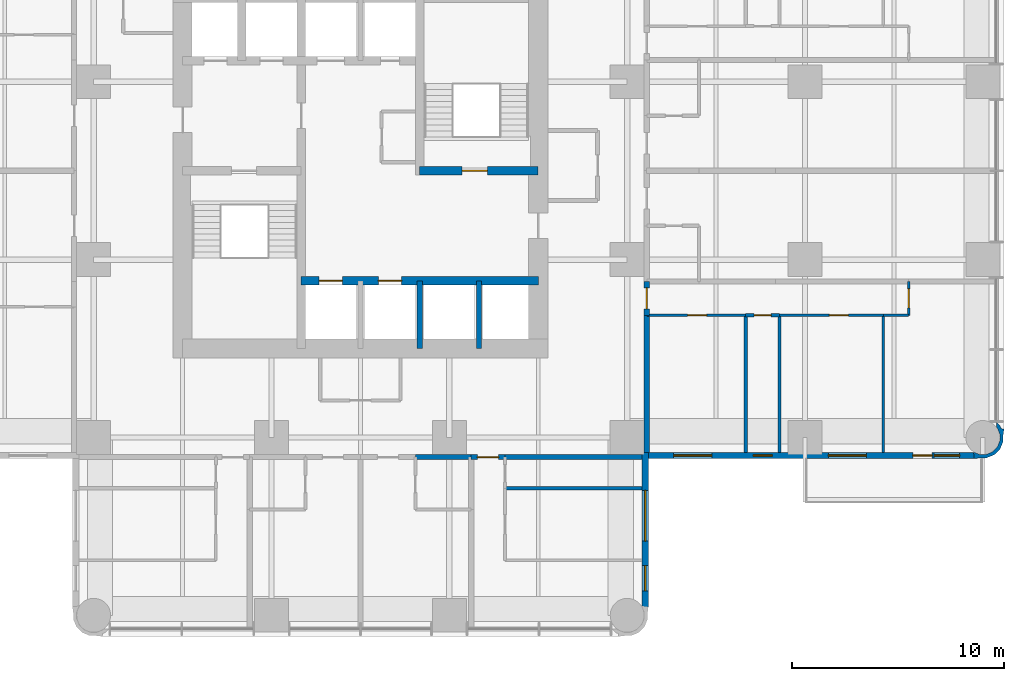
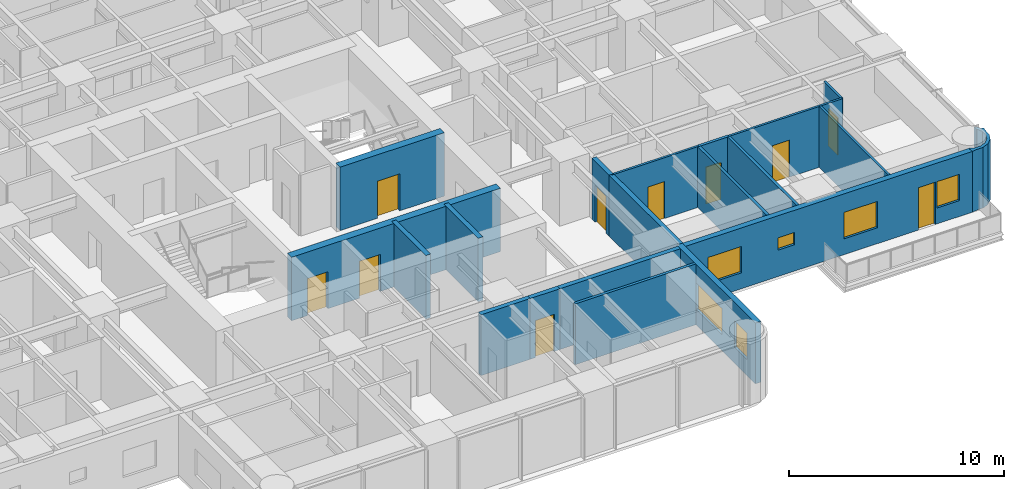
# One storey, part 9 of 14: 21 walls, 10 doors, 6 windows, 16 openings.
"""IFC4 building model written with IfcOpenShell, lengths in metres."""

import ifcopenshell
import ifcopenshell.guid

model = None  # the IFC model being written
_history = None  # IfcOwnerHistory: only IFC2X3 demands one
_inside = {}  # id of a spatial element -> (the spatial element, [elements in it])
_under = {}  # id of a project, library or spatial element -> (it, [spatial elements below it])
_declared = {}  # id of a project -> (the project, [libraries it declares])
_typed = {}  # id of a type object -> (the type object, [elements of that type])
_made_of = {}  # id of a material, layer set ... -> (it, [elements and type objects made of it])


def new_model(schema):
    """Start an empty IFC model of exactly this schema.

    Asked for "IFC4X3", IfcOpenShell would pick the latest addendum, in which some entities
    have other attributes; the version numbers below select the first issue.
    IFC2X3 requires an IfcOwnerHistory on every rooted entity: one is made here for all.
    """
    global model, _history
    if schema == "IFC4X3":
        model = ifcopenshell.file(schema_version=(4, 3, 0, 0))
    else:
        model = ifcopenshell.file(schema=schema)
    _inside.clear()
    _under.clear()
    _declared.clear()
    _typed.clear()
    _made_of.clear()
    _history = None
    if model.schema == "IFC2X3":
        org = make("IfcOrganization", Name="unknown")
        user = make(
            "IfcPersonAndOrganization",
            ThePerson=make("IfcPerson", FamilyName="unknown"),
            TheOrganization=org,
        )
        app = make(
            "IfcApplication",
            ApplicationDeveloper=org,
            Version="unknown",
            ApplicationFullName="unknown",
            ApplicationIdentifier="unknown",
        )
        _history = make(
            "IfcOwnerHistory",
            OwningUser=user,
            OwningApplication=app,
            ChangeAction="ADDED",
            CreationDate=0,
        )
    return model


def make(cls, **values):
    """One entity of the class cls with the attributes given. An attribute that is None is left unset."""
    return model.create_entity(
        cls, **{name: value for name, value in values.items() if value is not None}
    )


def rooted(cls, **values):
    """An entity with a GlobalId (a new one), such as an element, a storey or a relation."""
    return make(cls, GlobalId=ifcopenshell.guid.new(), OwnerHistory=_history, **values)


def si_unit(unit_type, name, prefix=None):
    """IfcSIUnit, for example si_unit("LENGTHUNIT", "METRE", prefix="MILLI")."""
    return make("IfcSIUnit", UnitType=unit_type, Prefix=prefix, Name=name)


def assignment(units):
    """IfcUnitAssignment: the units of a project."""
    return None if units is None else make("IfcUnitAssignment", Units=units)


def point(xyz):
    """IfcCartesianPoint."""
    return None if xyz is None else make("IfcCartesianPoint", Coordinates=xyz)


def direction(xyz):
    """IfcDirection."""
    return None if xyz is None else make("IfcDirection", DirectionRatios=xyz)


def frame(location, z_axis=None, x_axis=None):
    """IfcAxis2Placement3D, a coordinate frame: its origin and axes. An axis left out is left unset."""
    return make(
        "IfcAxis2Placement3D",
        Location=point(location),
        Axis=direction(z_axis),
        RefDirection=direction(x_axis),
    )


def frame_2d(location, x_axis=None):
    """IfcAxis2Placement2D, a coordinate frame in the plane: its origin and x axis."""
    return make(
        "IfcAxis2Placement2D", Location=point(location), RefDirection=direction(x_axis)
    )


def origin():
    """The frame at (0, 0, 0) with its axes left unset."""
    return frame((0.0, 0.0, 0.0))


def place(relative_to, where):
    """IfcLocalPlacement: puts the frame where relative to a parent placement (None: the world)."""
    return make(
        "IfcLocalPlacement", PlacementRelTo=relative_to, RelativePlacement=where
    )


def context(
    kind, dimensions, precision=None, world=None, true_north=None, identifier=None
):
    """IfcGeometricRepresentationContext, for example the 3D "Model" context."""
    return make(
        "IfcGeometricRepresentationContext",
        ContextIdentifier=identifier,
        ContextType=kind,
        CoordinateSpaceDimension=dimensions,
        Precision=precision,
        WorldCoordinateSystem=world,
        TrueNorth=true_north,
    )


def subcontext(parent, identifier, kind, view, scale=None):
    """IfcGeometricRepresentationSubContext, for example "Body" below "Model"."""
    return make(
        "IfcGeometricRepresentationSubContext",
        ContextIdentifier=identifier,
        ContextType=kind,
        ParentContext=parent,
        TargetScale=scale,
        TargetView=view,
    )


def project(units=None, contexts=None):
    """IfcProject with its units and contexts."""
    return rooted(
        "IfcProject",
        Name="project",
        RepresentationContexts=contexts,
        UnitsInContext=assignment(units),
    )


def spatial(cls, under=None, at=None, **own):
    """A site, building, storey or space (cls), placed at a placement, below another one or the project."""
    s = rooted(cls, ObjectPlacement=at, **own)
    if under is not None:
        _under.setdefault(under.id(), (under, []))[1].append(s)
    return s


def polyline(points):
    """IfcPolyline through the points."""
    return make("IfcPolyline", Points=[point(p) for p in points])


def profile(cls, at=None, kind="AREA", **sizes):
    """A parametric profile (cls). Its sizes go by their IFC names, for example OverallWidth=200.0."""
    return make(cls, ProfileType=kind, Position=at, **sizes)


def rectangle(**sizes):
    """IfcRectangleProfileDef."""
    return profile("IfcRectangleProfileDef", **sizes)


def outline(outer, holes=None, kind="AREA"):
    """IfcArbitraryClosedProfileDef: a profile drawn as a closed curve; with holes, ...WithVoids."""
    if holes is None:
        return make("IfcArbitraryClosedProfileDef", ProfileType=kind, OuterCurve=outer)
    return make(
        "IfcArbitraryProfileDefWithVoids",
        ProfileType=kind,
        OuterCurve=outer,
        InnerCurves=holes,
    )


def extrude(swept, where, along, depth):
    """IfcExtrudedAreaSolid: the profile swept, set in the frame where, extruded along a direction by depth."""
    return make(
        "IfcExtrudedAreaSolid",
        SweptArea=swept,
        Position=where,
        ExtrudedDirection=direction(along),
        Depth=depth,
    )


def shape(context_of_items, identifier, shape_type, items):
    """IfcShapeRepresentation: the items that make up one representation, for example the "Body"."""
    return make(
        "IfcShapeRepresentation",
        ContextOfItems=context_of_items,
        RepresentationIdentifier=identifier,
        RepresentationType=shape_type,
        Items=items,
    )


def material(Name=None, Category=None):
    """IfcMaterial."""
    return make("IfcMaterial", Name=Name, Category=Category)


def layer(
    of_material, thickness, ventilated=None, Name=None, Category=None, Priority=None
):
    """IfcMaterialLayer: one layer of a wall or slab, of a material (None: an air gap)."""
    return make(
        "IfcMaterialLayer",
        Material=of_material,
        LayerThickness=thickness,
        IsVentilated=ventilated,
        Name=Name,
        Category=Category,
        Priority=Priority,
    )


def layer_set(layers, Name=None):
    """IfcMaterialLayerSet."""
    return make("IfcMaterialLayerSet", MaterialLayers=layers, LayerSetName=Name)


def made_of(thing, what):
    """Note that an element or type object is made of a material, layer set ...; save() writes the relation."""
    if what is not None:
        _made_of.setdefault(what.id(), (what, []))[1].append(thing)
    return thing


def type_object(cls, material=None, **own):
    """A type object (cls), such as IfcWallType, which elements share."""
    return made_of(rooted(cls, **own), material)


def element(
    cls,
    number,
    at=None,
    inside=None,
    cuts=None,
    type_object=None,
    material=None,
    context=None,
    identifier="Body",
    shape_type=None,
    held_by="IfcProductDefinitionShape",
    body=None,
    shapes=None,
    **own,
):
    """One element of the class cls, such as IfcWall. Its Tag is "e" and its number.

    at: its placement. inside: the storey or other place that contains it. cuts: it is an
    opening in that element (IfcRelVoidsElement). A single representation is given by context,
    identifier, shape_type and body (its items); several are given by shapes. held_by: the class
    of the entity that holds the representations. save() writes the other relations.
    """
    e = rooted(cls, Tag="e%d" % number, ObjectPlacement=at, **own)
    if body is not None:
        shapes = [shape(context, identifier, shape_type, body)]
    if shapes is not None:
        e.Representation = make(held_by, Representations=shapes)
    if inside is not None:
        _inside.setdefault(inside.id(), (inside, []))[1].append(e)
    if cuts is not None:
        rooted(
            "IfcRelVoidsElement", RelatingBuildingElement=cuts, RelatedOpeningElement=e
        )
    if type_object is not None:
        _typed.setdefault(type_object.id(), (type_object, []))[1].append(e)
    return made_of(e, material)


def fill(opening, filler):
    """IfcRelFillsElement: the door or window that sits in an opening."""
    return rooted(
        "IfcRelFillsElement",
        RelatingOpeningElement=opening,
        RelatedBuildingElement=filler,
    )


def aggregate(whole, parts):
    """IfcRelAggregates: a whole, such as a stair, and the parts it consists of."""
    return rooted("IfcRelAggregates", RelatingObject=whole, RelatedObjects=parts)


def save(model, path):
    """Write the relations noted so far, then the file.

    IfcRelAggregates (storeys below a building ...), IfcRelContainedInSpatialStructure (elements
    in a storey), IfcRelDefinesByType, IfcRelAssociatesMaterial and IfcRelDeclares: one each for
    every whole, place, type object, material and project.
    """
    for whole, parts in _under.values():
        aggregate(whole, parts)
    for where, things in _inside.values():
        rooted(
            "IfcRelContainedInSpatialStructure",
            RelatedElements=things,
            RelatingStructure=where,
        )
    for kind, things in _typed.values():
        rooted("IfcRelDefinesByType", RelatedObjects=things, RelatingType=kind)
    for what, things in _made_of.values():
        rooted("IfcRelAssociatesMaterial", RelatedObjects=things, RelatingMaterial=what)
    for by, libraries in _declared.values():
        rooted("IfcRelDeclares", RelatingContext=by, RelatedDefinitions=libraries)
    model.write(path)


model = new_model("IFC4")

# Units and contexts
model_context = context("Model", 3, precision=1e-05, world=origin(), true_north=direction((0.0, 1.0)))
body_context = subcontext(model_context, "Body", "Model", "MODEL_VIEW")
ifc_project = project(units=[si_unit("LENGTHUNIT", "METRE"), si_unit("AREAUNIT", "SQUARE_METRE"), si_unit("VOLUMEUNIT", "CUBIC_METRE"), si_unit("PLANEANGLEUNIT", "RADIAN"), si_unit("MASSUNIT", "GRAM", prefix="KILO")], contexts=[model_context])

# Site, building, storey
site_placement = place(None, origin())
site = spatial("IfcSite", under=ifc_project, at=site_placement, CompositionType="ELEMENT")
building_placement = place(site_placement, origin())
building = spatial("IfcBuilding", under=site, at=building_placement, Name="Torre Alcanfor", CompositionType="ELEMENT")
storey_placement = place(building_placement, frame((0.0, 0.0, 155.699951171875)))
storey = spatial("IfcBuildingStorey", under=building, at=storey_placement, Name="L40", CompositionType="ELEMENT", Elevation=155.699951171875)

# Wall, opening, door
ifc_material_1 = material(Name="Concrete block masonry, hollow blocks NMX-C-404 9 MPa", Category="masonry")
ifc_layer_1 = layer(ifc_material_1, 0.25)
ifc_layer_set_1 = layer_set([ifc_layer_1], Name="Apartment entrance wall 250 EI 60")
wall_type_1 = type_object("IfcWallType", Name="Apartment entrance wall 250 EI 60", PredefinedType="PARTITIONING", material=ifc_layer_set_1)
wall_1_placement = place(storey_placement, frame((42.925048828125, 24.1708984375, 0.0), z_axis=(0.0, 0.0, 1.0), x_axis=(0.0, -1.0, 0.0)))
wall_1 = element("IfcWall", 1, at=wall_1_placement, inside=storey, type_object=wall_type_1, Name="Partition L40-CORR / L40-E2B-HALL", PredefinedType="PARTITIONING", context=body_context, shape_type="SweptSolid", body=[
    extrude(rectangle(XDim=1.599853515625, YDim=0.25, at=frame_2d((0.7998046875, 0.0))), origin(), (0.0, 0.0, 1.0), 3.449951171875),
])
opening_1_placement = place(wall_1_placement, frame((0.300048828125, 0.0, 0.0)))
opening_1 = element("IfcOpeningElement", 2, at=opening_1_placement, cuts=wall_1, Name="Opening D-A1", PredefinedType="OPENING", context=body_context, shape_type="SweptSolid", body=[
    extrude(rectangle(XDim=1.0, YDim=2.10009765625, at=frame_2d((0.5, 1.050048828125))), frame((0.0, 0.135009765625, 0.0), z_axis=(0.0, -1.0, 0.0), x_axis=(1.0, 0.0, 0.0)), (0.0, 0.0, 1.0), 0.27001953125),
])
ifc_material_2 = material(Name="Galvanised steel sheet ASTM A653", Category="steel")
door_type_1 = type_object("IfcDoorType", Name="Apartment entrance door FD60 1000x2100", OperationType="SINGLE_SWING_LEFT", PredefinedType="DOOR", material=ifc_material_2)
door_1_placement = place(opening_1_placement, origin())
door_1 = element("IfcDoor", 3, at=door_1_placement, inside=storey, type_object=door_type_1, Name="Apartment entrance L40-E2B", OperationType="SINGLE_SWING_LEFT", OverallHeight=2.10009765625, OverallWidth=1.0, PredefinedType="DOOR", context=body_context, shape_type="SweptSolid", body=[
    extrude(rectangle(XDim=1.0, YDim=2.10009765625, at=frame_2d((0.5, 1.050048828125))), frame((0.0, 0.02490234375, 0.0), z_axis=(0.0, -1.0, 0.0), x_axis=(1.0, 0.0, 0.0)), (0.0, 0.0, 1.0), 0.050048828125),
])
fill(opening_1, door_1)

# Walls
wall_2_placement = place(storey_placement, frame((42.925048828125, 22.571044921875, 0.0), z_axis=(0.0, 0.0, 1.0), x_axis=(0.0, -1.0, 0.0)))
element("IfcWall", 4, at=wall_2_placement, inside=storey, type_object=wall_type_1, Name="Partition L40-CORR / L40-E2B-BED2", PredefinedType="PARTITIONING", context=body_context, shape_type="SweptSolid", body=[
    extrude(rectangle(XDim=6.470947265625, YDim=0.25, at=frame_2d((3.2353515625, 0.0))), origin(), (0.0, 0.0, 1.0), 3.449951171875),
])
wall_3_placement = place(storey_placement, frame((34.62890625, 15.875, 0.0), z_axis=(0.0, 0.0, 1.0), x_axis=(-1.0, 0.0, 0.0)))
element("IfcWall", 5, at=wall_3_placement, inside=storey, type_object=wall_type_1, Name="Partition L40-CORR / L40-S1A-BATH", PredefinedType="PARTITIONING", context=body_context, shape_type="SweptSolid", body=[
    extrude(rectangle(XDim=2.62890625, YDim=0.25, at=frame_2d((1.314453125, 0.0))), origin(), (0.0, 0.0, 1.0), 3.449951171875),
])

# Wall, opening, door
wall_4_placement = place(storey_placement, frame((36.22900390625, 15.875, 0.0), z_axis=(0.0, 0.0, 1.0), x_axis=(-1.0, 0.0, 0.0)))
wall_4 = element("IfcWall", 6, at=wall_4_placement, inside=storey, type_object=wall_type_1, Name="Partition L40-CORR / L40-S1B-LIVING", PredefinedType="PARTITIONING", context=body_context, shape_type="SweptSolid", body=[
    extrude(rectangle(XDim=1.60009765625, YDim=0.25, at=frame_2d((0.800048828125, 0.0))), origin(), (0.0, 0.0, 1.0), 3.449951171875),
])
opening_2_placement = place(wall_4_placement, frame((0.300048828125, 0.0, 0.0)))
opening_2 = element("IfcOpeningElement", 7, at=opening_2_placement, cuts=wall_4, Name="Opening D-A1", PredefinedType="OPENING", context=body_context, shape_type="SweptSolid", body=[
    extrude(rectangle(XDim=1.0, YDim=2.10009765625, at=frame_2d((0.5, 1.050048828125))), frame((0.0, 0.135009765625, 0.0), z_axis=(0.0, -1.0, 0.0), x_axis=(1.0, 0.0, 0.0)), (0.0, 0.0, 1.0), 0.27001953125),
])
door_2_placement = place(opening_2_placement, origin())
door_2 = element("IfcDoor", 8, at=door_2_placement, inside=storey, type_object=door_type_1, Name="Apartment entrance L40-S1B", OperationType="SINGLE_SWING_LEFT", OverallHeight=2.10009765625, OverallWidth=1.0, PredefinedType="DOOR", context=body_context, shape_type="SweptSolid", body=[
    extrude(rectangle(XDim=1.0, YDim=2.10009765625, at=frame_2d((0.5, 1.050048828125))), frame((0.0, 0.02490234375, 0.0), z_axis=(0.0, -1.0, 0.0), x_axis=(1.0, 0.0, 0.0)), (0.0, 0.0, 1.0), 0.050048828125),
])
fill(opening_2, door_2)

# Wall
wall_5_placement = place(storey_placement, frame((42.699951171875, 15.875, 0.0), z_axis=(0.0, 0.0, 1.0), x_axis=(-1.0, 0.0, 0.0)))
element("IfcWall", 9, at=wall_5_placement, inside=storey, type_object=wall_type_1, Name="Partition L40-CORR / L40-S1B-BATH", PredefinedType="PARTITIONING", context=body_context, shape_type="SweptSolid", body=[
    extrude(rectangle(XDim=6.470947265625, YDim=0.25, at=frame_2d((3.2353515625, 0.0))), origin(), (0.0, 0.0, 1.0), 3.449951171875),
])

# Wall, opening, door
ifc_material_3 = material(Name="Gypsum board on steel studs", Category="steel")
ifc_layer_2 = layer(ifc_material_3, 0.1201171875)
ifc_layer_set_2 = layer_set([ifc_layer_2], Name="Apartment partition 120")
wall_type_2 = type_object("IfcWallType", Name="Apartment partition 120", PredefinedType="PARTITIONING", material=ifc_layer_set_2)
wall_6_placement = place(storey_placement, frame((47.60009765625, 22.571044921875, 0.0), z_axis=(0.0, 0.0, 1.0), x_axis=(-1.0, 0.0, 0.0)))
wall_6 = element("IfcWall", 10, at=wall_6_placement, inside=storey, type_object=wall_type_2, Name="Partition L40-E2B-HALL / L40-E2B-BED2", PredefinedType="PARTITIONING", context=body_context, shape_type="SweptSolid", body=[
    extrude(rectangle(XDim=4.675048828125, YDim=0.1201171875, at=frame_2d((2.33740234375, 0.0))), origin(), (0.0, 0.0, 1.0), 3.449951171875),
])
opening_3_placement = place(wall_6_placement, frame((1.85009765625, 0.0, 0.0)))
opening_3 = element("IfcOpeningElement", 11, at=opening_3_placement, cuts=wall_6, Name="Opening D-R1", PredefinedType="OPENING", context=body_context, shape_type="SweptSolid", body=[
    extrude(rectangle(XDim=0.89990234375, YDim=2.10009765625, at=frame_2d((0.449951171875, 1.050048828125))), frame((0.0, 0.070068359375, 0.0), z_axis=(0.0, -1.0, 0.0), x_axis=(1.0, 0.0, 0.0)), (0.0, 0.0, 1.0), 0.14013671875),
])
ifc_material_4 = material(Name="Timber", Category="wood")
door_type_2 = type_object("IfcDoorType", Name="Internal door 900x2100", OperationType="SINGLE_SWING_LEFT", PredefinedType="DOOR", material=ifc_material_4)
door_3_placement = place(opening_3_placement, origin())
door_3 = element("IfcDoor", 12, at=door_3_placement, inside=storey, type_object=door_type_2, Name="Door L40-E2B bed2", OperationType="SINGLE_SWING_LEFT", OverallHeight=2.10009765625, OverallWidth=0.89990234375, PredefinedType="DOOR", context=body_context, shape_type="SweptSolid", body=[
    extrude(rectangle(XDim=0.89990234375, YDim=2.10009765625, at=frame_2d((0.449951171875, 1.050048828125))), frame((0.0, 0.02490234375, 0.0), z_axis=(0.0, -1.0, 0.0), x_axis=(1.0, 0.0, 0.0)), (0.0, 0.0, 1.0), 0.050048828125),
])
fill(opening_3, door_3)

wall_7_placement = place(storey_placement, frame((54.10009765625, 22.571044921875, 0.0), z_axis=(0.0, 0.0, 1.0), x_axis=(-1.0, 0.0, 0.0)))
wall_7 = element("IfcWall", 13, at=wall_7_placement, inside=storey, type_object=wall_type_2, Name="Partition L40-E2B-HALL / L40-E2B-MASTER", PredefinedType="PARTITIONING", context=body_context, shape_type="SweptSolid", body=[
    extrude(rectangle(XDim=4.900146484375, YDim=0.1201171875, at=frame_2d((2.4501953125, 0.0))), origin(), (0.0, 0.0, 1.0), 3.449951171875),
])
opening_4_placement = place(wall_7_placement, frame((1.64990234375, 0.0, 0.0)))
opening_4 = element("IfcOpeningElement", 14, at=opening_4_placement, cuts=wall_7, Name="Opening D-R1", PredefinedType="OPENING", context=body_context, shape_type="SweptSolid", body=[
    extrude(rectangle(XDim=0.89990234375, YDim=2.10009765625, at=frame_2d((0.449951171875, 1.050048828125))), frame((0.0, 0.070068359375, 0.0), z_axis=(0.0, -1.0, 0.0), x_axis=(1.0, 0.0, 0.0)), (0.0, 0.0, 1.0), 0.14013671875),
])
door_4_placement = place(opening_4_placement, origin())
door_4 = element("IfcDoor", 15, at=door_4_placement, inside=storey, type_object=door_type_2, Name="Door L40-E2B master", OperationType="SINGLE_SWING_LEFT", OverallHeight=2.10009765625, OverallWidth=0.89990234375, PredefinedType="DOOR", context=body_context, shape_type="SweptSolid", body=[
    extrude(rectangle(XDim=0.89990234375, YDim=2.10009765625, at=frame_2d((0.449951171875, 1.050048828125))), frame((0.0, 0.02490234375, 0.0), z_axis=(0.0, -1.0, 0.0), x_axis=(1.0, 0.0, 0.0)), (0.0, 0.0, 1.0), 0.050048828125),
])
fill(opening_4, door_4)

# Wall
wall_8_placement = place(storey_placement, frame((55.300048828125, 22.571044921875, 0.0), z_axis=(0.0, 0.0, 1.0), x_axis=(-1.0, 0.0, 0.0)))
element("IfcWall", 16, at=wall_8_placement, inside=storey, type_object=wall_type_2, Name="Partition L40-E2B-HALL / L40-E2B-KITCHEN", PredefinedType="PARTITIONING", context=body_context, shape_type="SweptSolid", body=[
    extrude(rectangle(XDim=1.199951171875, YDim=0.1201171875, at=frame_2d((0.60009765625, 0.0))), origin(), (0.0, 0.0, 1.0), 3.449951171875),
])

# Wall, opening, door
wall_9_placement = place(storey_placement, frame((55.300048828125, 24.1708984375, 0.0), z_axis=(0.0, 0.0, 1.0), x_axis=(0.0, -1.0, 0.0)))
wall_9 = element("IfcWall", 17, at=wall_9_placement, inside=storey, type_object=wall_type_2, Name="Partition L40-E2B-HALL / L40-E2B-LIVING", PredefinedType="PARTITIONING", context=body_context, shape_type="SweptSolid", body=[
    extrude(rectangle(XDim=1.599853515625, YDim=0.1201171875, at=frame_2d((0.7998046875, 0.0))), origin(), (0.0, 0.0, 1.0), 3.449951171875),
])
opening_5_placement = place(wall_9_placement, frame((0.35009765625, 0.0, 0.0)))
opening_5 = element("IfcOpeningElement", 18, at=opening_5_placement, cuts=wall_9, Name="Opening D-R1", PredefinedType="OPENING", context=body_context, shape_type="SweptSolid", body=[
    extrude(rectangle(XDim=0.89990234375, YDim=2.10009765625, at=frame_2d((0.449951171875, 1.050048828125))), frame((0.0, 0.070068359375, 0.0), z_axis=(0.0, -1.0, 0.0), x_axis=(1.0, 0.0, 0.0)), (0.0, 0.0, 1.0), 0.14013671875),
])
door_5_placement = place(opening_5_placement, origin())
door_5 = element("IfcDoor", 19, at=door_5_placement, inside=storey, type_object=door_type_2, Name="Door L40-E2B living", OperationType="SINGLE_SWING_LEFT", OverallHeight=2.10009765625, OverallWidth=0.89990234375, PredefinedType="DOOR", context=body_context, shape_type="SweptSolid", body=[
    extrude(rectangle(XDim=0.89990234375, YDim=2.10009765625, at=frame_2d((0.449951171875, 1.050048828125))), frame((0.0, 0.02490234375, 0.0), z_axis=(0.0, -1.0, 0.0), x_axis=(1.0, 0.0, 0.0)), (0.0, 0.0, 1.0), 0.050048828125),
])
fill(opening_5, door_5)

# Wall
wall_10_placement = place(storey_placement, frame((54.10009765625, 22.571044921875, 0.0), z_axis=(0.0, 0.0, 1.0), x_axis=(0.0, -1.0, 0.0)))
element("IfcWall", 20, at=wall_10_placement, inside=storey, type_object=wall_type_2, Name="Partition L40-E2B-MASTER / L40-E2B-KITCHEN", PredefinedType="PARTITIONING", context=body_context, shape_type="SweptSolid", body=[
    extrude(rectangle(XDim=6.470947265625, YDim=0.1201171875, at=frame_2d((3.2353515625, 0.0))), origin(), (0.0, 0.0, 1.0), 3.449951171875),
])

# Wall, openings, doors
ifc_material_5 = material(Name="Concrete f'c 70 MPa", Category="concrete")
ifc_layer_3 = layer(ifc_material_5, 0.39990234375)
ifc_layer_set_3 = layer_set([ifc_layer_3], Name="Core inner wall 400 f'c70")
wall_type_3 = type_object("IfcWallType", Name="Core inner wall 400 f'c70", PredefinedType="SHEAR", material=ifc_layer_set_3)
wall_11_placement = place(storey_placement, frame((26.60009765625, 24.199951171875, 0.0), z_axis=(0.0, 0.0, 1.0), x_axis=(1.0, 0.0, 0.0)))
wall_11 = element("IfcWall", 21, at=wall_11_placement, inside=storey, type_object=wall_type_3, Name="Core wall Y242 L40", PredefinedType="SHEAR", context=body_context, shape_type="SweptSolid", body=[
    extrude(rectangle(XDim=11.199951171875, YDim=0.39990234375, at=frame_2d((5.60009765625, 0.0))), origin(), (0.0, 0.0, 1.0), 3.60009765625),
])
opening_6_placement = place(wall_11_placement, frame((0.85009765625, 0.0, 0.0)))
opening_6 = element("IfcOpeningElement", 22, at=opening_6_placement, cuts=wall_11, Name="Opening LD1", PredefinedType="OPENING", context=body_context, shape_type="SweptSolid", body=[
    extrude(rectangle(XDim=1.10009765625, YDim=2.10009765625, at=frame_2d((0.550048828125, 1.050048828125))), frame((0.0, 0.2099609375, 0.0), z_axis=(0.0, -1.0, 0.0), x_axis=(1.0, 0.0, 0.0)), (0.0, 0.0, 1.0), 0.419921875),
])
opening_7_placement = place(wall_11_placement, frame((3.64990234375, 0.0, 0.0)))
opening_7 = element("IfcOpeningElement", 23, at=opening_7_placement, cuts=wall_11, Name="Opening LD1", PredefinedType="OPENING", context=body_context, shape_type="SweptSolid", body=[
    extrude(rectangle(XDim=1.10009765625, YDim=2.10009765625, at=frame_2d((0.550048828125, 1.050048828125))), frame((0.0, 0.2099609375, 0.0), z_axis=(0.0, -1.0, 0.0), x_axis=(1.0, 0.0, 0.0)), (0.0, 0.0, 1.0), 0.419921875),
])
ifc_material_6 = material(Name="Galvanised steel sheet ASTM A653", Category="steel")
door_type_3 = type_object("IfcDoorType", Name="Lift landing door 1100x2100", OperationType="DOUBLE_DOOR_SLIDING", PredefinedType="DOOR", material=ifc_material_6)
door_6_placement = place(opening_6_placement, origin())
door_6 = element("IfcDoor", 24, at=door_6_placement, inside=storey, type_object=door_type_3, Name="Lift landing door PA1 L40", OperationType="DOUBLE_DOOR_SLIDING", OverallHeight=2.10009765625, OverallWidth=1.10009765625, PredefinedType="DOOR", context=body_context, shape_type="SweptSolid", body=[
    extrude(rectangle(XDim=1.10009765625, YDim=2.10009765625, at=frame_2d((0.550048828125, 1.050048828125))), frame((0.0, 0.02490234375, 0.0), z_axis=(0.0, -1.0, 0.0), x_axis=(1.0, 0.0, 0.0)), (0.0, 0.0, 1.0), 0.050048828125),
])
fill(opening_6, door_6)
door_7_placement = place(opening_7_placement, origin())
door_7 = element("IfcDoor", 25, at=door_7_placement, inside=storey, type_object=door_type_3, Name="Lift landing door PA2 L40", OperationType="DOUBLE_DOOR_SLIDING", OverallHeight=2.10009765625, OverallWidth=1.10009765625, PredefinedType="DOOR", context=body_context, shape_type="SweptSolid", body=[
    extrude(rectangle(XDim=1.10009765625, YDim=2.10009765625, at=frame_2d((0.550048828125, 1.050048828125))), frame((0.0, 0.02490234375, 0.0), z_axis=(0.0, -1.0, 0.0), x_axis=(1.0, 0.0, 0.0)), (0.0, 0.0, 1.0), 0.050048828125),
])
fill(opening_7, door_7)

# Wall, opening, door
wall_12_placement = place(storey_placement, frame((32.199951171875, 29.39990234375, 0.0), z_axis=(0.0, 0.0, 1.0), x_axis=(1.0, 0.0, 0.0)))
wall_12 = element("IfcWall", 26, at=wall_12_placement, inside=storey, type_object=wall_type_3, Name="Core wall Y294E L40", PredefinedType="SHEAR", context=body_context, shape_type="SweptSolid", body=[
    extrude(rectangle(XDim=5.60009765625, YDim=0.39990234375, at=frame_2d((2.800048828125, 0.0))), origin(), (0.0, 0.0, 1.0), 3.60009765625),
])
opening_8_placement = place(wall_12_placement, frame((2.0, 0.0, 0.0)))
opening_8 = element("IfcOpeningElement", 27, at=opening_8_placement, cuts=wall_12, Name="Opening D-S2", PredefinedType="OPENING", context=body_context, shape_type="SweptSolid", body=[
    extrude(rectangle(XDim=1.199951171875, YDim=2.10009765625, at=frame_2d((0.60009765625, 1.050048828125))), frame((0.0, 0.2099609375, 0.0), z_axis=(0.0, -1.0, 0.0), x_axis=(1.0, 0.0, 0.0)), (0.0, 0.0, 1.0), 0.419921875),
])
ifc_material_7 = material(Name="Galvanised steel sheet ASTM A653", Category="steel")
door_type_4 = type_object("IfcDoorType", Name="Stair enclosure door FD120 1200x2100", OperationType="SINGLE_SWING_LEFT", PredefinedType="DOOR", material=ifc_material_7)
door_8_placement = place(opening_8_placement, origin())
door_8 = element("IfcDoor", 28, at=door_8_placement, inside=storey, type_object=door_type_4, Name="Stair S2 door L40", OperationType="SINGLE_SWING_LEFT", OverallHeight=2.10009765625, OverallWidth=1.199951171875, PredefinedType="DOOR", context=body_context, shape_type="SweptSolid", body=[
    extrude(rectangle(XDim=1.199951171875, YDim=2.10009765625, at=frame_2d((0.60009765625, 1.050048828125))), frame((0.0, 0.02490234375, 0.0), z_axis=(0.0, -1.0, 0.0), x_axis=(1.0, 0.0, 0.0)), (0.0, 0.0, 1.0), 0.050048828125),
])
fill(opening_8, door_8)

# Walls
ifc_material_8 = material(Name="Concrete f'c 70 MPa", Category="concrete")
ifc_layer_4 = layer(ifc_material_8, 0.25)
ifc_layer_set_4 = layer_set([ifc_layer_4], Name="Core shaft wall 250 f'c70")
wall_type_4 = type_object("IfcWallType", Name="Core shaft wall 250 f'c70", PredefinedType="SHEAR", material=ifc_layer_set_4)
for number, where, z_axis, x_axis, name in (
    (29, (32.199951171875, 21.0, 0.0), (0.0, 0.0, 1.0), (0.0, 1.0, 0.0), "Core wall X322S L40"),
    (30, (35.0, 21.0, 0.0), (0.0, 0.0, 1.0), (0.0, 1.0, 0.0), "Core wall X350S L40"),
):
    element("IfcWall", number, at=place(storey_placement, frame(where, z_axis=z_axis, x_axis=x_axis)), inside=storey, type_object=wall_type_4, Name=name, PredefinedType="SHEAR", context=body_context, shape_type="SweptSolid", body=[
        extrude(rectangle(XDim=3.199951171875, YDim=0.25, at=frame_2d((1.60009765625, 0.0))), origin(), (0.0, 0.0, 1.0), 3.60009765625),
    ])

# Wall, openings, windows
ifc_material_9 = material(Name="Limestone cladding", Category="masonry")
ifc_layer_5 = layer(ifc_material_9, 0.0400390625, Name="Facing")
ifc_material_10 = material(Name="Ventilated air cavity")
ifc_layer_6 = layer(ifc_material_10, 0.02001953125, ventilated=True, Name="Ventilated joint")
ifc_material_11 = material(Name="Mineral wool insulation", Category="insulation")
ifc_layer_7 = layer(ifc_material_11, 0.10009765625, Name="Insulation")
ifc_material_12 = material(Name="Concrete f'c 35 MPa", Category="concrete")
ifc_layer_8 = layer(ifc_material_12, 0.139892578125, Name="Backing")
ifc_layer_set_5 = layer_set([ifc_layer_5, ifc_layer_6, ifc_layer_7, ifc_layer_8], Name="External wall stone-clad 300")
wall_type_5 = type_object("IfcWallType", Name="External wall stone-clad 300", PredefinedType="SOLIDWALL", material=ifc_layer_set_5)
wall_13_placement = place(storey_placement, frame((42.85009765625, 8.800048828125, 0.0), z_axis=(0.0, 0.0, 1.0), x_axis=(0.0, 1.0, 0.0)))
wall_13 = element("IfcWall", 31, at=wall_13_placement, inside=storey, type_object=wall_type_5, Name="External wall L40 6", PredefinedType="SOLIDWALL", context=body_context, shape_type="SweptSolid", body=[
    extrude(rectangle(XDim=7.300048828125, YDim=0.300048828125, at=frame_2d((3.64990234375, 0.0))), origin(), (0.0, 0.0, 1.0), 3.449951171875),
])
opening_9_placement = place(wall_13_placement, frame((3.10009765625, 0.0, 0.89990234375)))
opening_9 = element("IfcOpeningElement", 32, at=opening_9_placement, cuts=wall_13, Name="Opening W1", PredefinedType="OPENING", context=body_context, shape_type="SweptSolid", body=[
    extrude(rectangle(XDim=2.39990234375, YDim=1.5, at=frame_2d((1.199951171875, 0.75))), frame((0.0, 0.159912109375, 0.0), z_axis=(0.0, -1.0, 0.0), x_axis=(1.0, 0.0, 0.0)), (0.0, 0.0, 1.0), 0.320068359375),
])
opening_10_placement = place(wall_13_placement, frame((0.75, 0.0, 0.89990234375)))
opening_10 = element("IfcOpeningElement", 33, at=opening_10_placement, cuts=wall_13, Name="Opening W4", PredefinedType="OPENING", context=body_context, shape_type="SweptSolid", body=[
    extrude(rectangle(XDim=1.199951171875, YDim=1.5, at=frame_2d((0.60009765625, 0.75))), frame((0.0, 0.159912109375, 0.0), z_axis=(0.0, -1.0, 0.0), x_axis=(1.0, 0.0, 0.0)), (0.0, 0.0, 1.0), 0.320068359375),
])
ifc_material_13 = material(Name="Aluminium frame with clear double glazing", Category="aluminium")
window_type_1 = type_object("IfcWindowType", Name="Window bedroom 1200x1500", PartitioningType="SINGLE_PANEL", PredefinedType="WINDOW", material=ifc_material_13)
window_1_placement = place(opening_10_placement, origin())
window_1 = element("IfcWindow", 34, at=window_1_placement, inside=storey, type_object=window_type_1, Name="Window W4 L40-S1", OverallHeight=1.5, OverallWidth=1.199951171875, PartitioningType="SINGLE_PANEL", PredefinedType="WINDOW", context=body_context, shape_type="SweptSolid", body=[
    extrude(rectangle(XDim=1.199951171875, YDim=1.5, at=frame_2d((0.60009765625, 0.75))), frame((0.0, 0.030029296875, 0.0), z_axis=(0.0, -1.0, 0.0), x_axis=(1.0, 0.0, 0.0)), (0.0, 0.0, 1.0), 0.06005859375),
])
fill(opening_10, window_1)
ifc_material_14 = material(Name="Aluminium frame with clear double glazing", Category="aluminium")
window_type_2 = type_object("IfcWindowType", Name="Window bedroom 2400x1500", PartitioningType="SINGLE_PANEL", PredefinedType="WINDOW", material=ifc_material_14)
window_2_placement = place(opening_9_placement, origin())
window_2 = element("IfcWindow", 35, at=window_2_placement, inside=storey, type_object=window_type_2, Name="Window W1 L40-S1", OverallHeight=1.5, OverallWidth=2.39990234375, PartitioningType="SINGLE_PANEL", PredefinedType="WINDOW", context=body_context, shape_type="SweptSolid", body=[
    extrude(rectangle(XDim=2.39990234375, YDim=1.5, at=frame_2d((1.199951171875, 0.75))), frame((0.0, 0.030029296875, 0.0), z_axis=(0.0, -1.0, 0.0), x_axis=(1.0, 0.0, 0.0)), (0.0, 0.0, 1.0), 0.06005859375),
])
fill(opening_9, window_2)

# Wall, openings, door, windows
wall_14_placement = place(storey_placement, frame((43.0, 15.949951171875, 0.0), z_axis=(0.0, 0.0, 1.0), x_axis=(1.0, 0.0, 0.0)))
wall_14 = element("IfcWall", 36, at=wall_14_placement, inside=storey, type_object=wall_type_5, Name="External wall L40 7", PredefinedType="SOLIDWALL", context=body_context, shape_type="SweptSolid", body=[
    extrude(rectangle(XDim=15.39990234375, YDim=0.300048828125, at=frame_2d((7.699951171875, 0.0))), origin(), (0.0, 0.0, 1.0), 3.449951171875),
])
opening_11_placement = place(wall_14_placement, frame((1.199951171875, 0.0, 0.89990234375)))
opening_11 = element("IfcOpeningElement", 37, at=opening_11_placement, cuts=wall_14, Name="Opening W2", PredefinedType="OPENING", context=body_context, shape_type="SweptSolid", body=[
    extrude(rectangle(XDim=1.800048828125, YDim=1.5, at=frame_2d((0.89990234375, 0.75))), frame((0.0, 0.159912109375, 0.0), z_axis=(0.0, -1.0, 0.0), x_axis=(1.0, 0.0, 0.0)), (0.0, 0.0, 1.0), 0.320068359375),
])
opening_12_placement = place(wall_14_placement, frame((4.949951171875, 0.0, 1.5)))
opening_12 = element("IfcOpeningElement", 38, at=opening_12_placement, cuts=wall_14, Name="Opening W3", PredefinedType="OPENING", context=body_context, shape_type="SweptSolid", body=[
    extrude(rectangle(XDim=0.89990234375, YDim=0.699951171875, at=frame_2d((0.449951171875, 0.35009765625))), frame((0.0, 0.159912109375, 0.0), z_axis=(0.0, -1.0, 0.0), x_axis=(1.0, 0.0, 0.0)), (0.0, 0.0, 1.0), 0.320068359375),
])
opening_13_placement = place(wall_14_placement, frame((8.5, 0.0, 0.89990234375)))
opening_13 = element("IfcOpeningElement", 39, at=opening_13_placement, cuts=wall_14, Name="Opening W2", PredefinedType="OPENING", context=body_context, shape_type="SweptSolid", body=[
    extrude(rectangle(XDim=1.800048828125, YDim=1.5, at=frame_2d((0.89990234375, 0.75))), frame((0.0, 0.159912109375, 0.0), z_axis=(0.0, -1.0, 0.0), x_axis=(1.0, 0.0, 0.0)), (0.0, 0.0, 1.0), 0.320068359375),
])
opening_14_placement = place(wall_14_placement, frame((12.5, 0.0, 0.0)))
opening_14 = element("IfcOpeningElement", 40, at=opening_14_placement, cuts=wall_14, Name="Opening D-B1", PredefinedType="OPENING", context=body_context, shape_type="SweptSolid", body=[
    extrude(rectangle(XDim=0.89990234375, YDim=2.39990234375, at=frame_2d((0.449951171875, 1.199951171875))), frame((0.0, 0.159912109375, 0.0), z_axis=(0.0, -1.0, 0.0), x_axis=(1.0, 0.0, 0.0)), (0.0, 0.0, 1.0), 0.320068359375),
])
opening_15_placement = place(wall_14_placement, frame((13.5, 0.0, 0.89990234375)))
opening_15 = element("IfcOpeningElement", 41, at=opening_15_placement, cuts=wall_14, Name="Opening W4", PredefinedType="OPENING", context=body_context, shape_type="SweptSolid", body=[
    extrude(rectangle(XDim=1.199951171875, YDim=1.5, at=frame_2d((0.60009765625, 0.75))), frame((0.0, 0.159912109375, 0.0), z_axis=(0.0, -1.0, 0.0), x_axis=(1.0, 0.0, 0.0)), (0.0, 0.0, 1.0), 0.320068359375),
])
ifc_material_15 = material(Name="Aluminium and glass", Category="aluminium")
door_type_5 = type_object("IfcDoorType", Name="Balcony door glazed 900x2400", OperationType="SINGLE_SWING_LEFT", PredefinedType="DOOR", material=ifc_material_15)
door_9_placement = place(opening_14_placement, origin())
door_9 = element("IfcDoor", 42, at=door_9_placement, inside=storey, type_object=door_type_5, Name="Balcony door L40-E2", OperationType="SINGLE_SWING_LEFT", OverallHeight=2.39990234375, OverallWidth=0.89990234375, PredefinedType="DOOR", context=body_context, shape_type="SweptSolid", body=[
    extrude(rectangle(XDim=0.89990234375, YDim=2.39990234375, at=frame_2d((0.449951171875, 1.199951171875))), frame((0.0, 0.02490234375, 0.0), z_axis=(0.0, -1.0, 0.0), x_axis=(1.0, 0.0, 0.0)), (0.0, 0.0, 1.0), 0.050048828125),
])
fill(opening_14, door_9)
ifc_material_16 = material(Name="Aluminium frame with clear double glazing", Category="aluminium")
window_type_3 = type_object("IfcWindowType", Name="Window bathroom 900x700", PartitioningType="SINGLE_PANEL", PredefinedType="WINDOW", material=ifc_material_16)
window_3_placement = place(opening_12_placement, origin())
window_3 = element("IfcWindow", 43, at=window_3_placement, inside=storey, type_object=window_type_3, Name="Window W3 L40-E2", OverallHeight=0.699951171875, OverallWidth=0.89990234375, PartitioningType="SINGLE_PANEL", PredefinedType="WINDOW", context=body_context, shape_type="SweptSolid", body=[
    extrude(rectangle(XDim=0.89990234375, YDim=0.699951171875, at=frame_2d((0.449951171875, 0.35009765625))), frame((0.0, 0.030029296875, 0.0), z_axis=(0.0, -1.0, 0.0), x_axis=(1.0, 0.0, 0.0)), (0.0, 0.0, 1.0), 0.06005859375),
])
fill(opening_12, window_3)
window_4_placement = place(opening_15_placement, origin())
window_4 = element("IfcWindow", 44, at=window_4_placement, inside=storey, type_object=window_type_1, Name="Window W4 L40-E2", OverallHeight=1.5, OverallWidth=1.199951171875, PartitioningType="SINGLE_PANEL", PredefinedType="WINDOW", context=body_context, shape_type="SweptSolid", body=[
    extrude(rectangle(XDim=1.199951171875, YDim=1.5, at=frame_2d((0.60009765625, 0.75))), frame((0.0, 0.030029296875, 0.0), z_axis=(0.0, -1.0, 0.0), x_axis=(1.0, 0.0, 0.0)), (0.0, 0.0, 1.0), 0.06005859375),
])
fill(opening_15, window_4)
ifc_material_17 = material(Name="Aluminium frame with clear double glazing", Category="aluminium")
window_type_4 = type_object("IfcWindowType", Name="Window bedroom 1800x1500", PartitioningType="SINGLE_PANEL", PredefinedType="WINDOW", material=ifc_material_17)
window_5_placement = place(opening_11_placement, origin())
window_5 = element("IfcWindow", 45, at=window_5_placement, inside=storey, type_object=window_type_4, Name="Window W2 L40-E2", OverallHeight=1.5, OverallWidth=1.800048828125, PartitioningType="SINGLE_PANEL", PredefinedType="WINDOW", context=body_context, shape_type="SweptSolid", body=[
    extrude(rectangle(XDim=1.800048828125, YDim=1.5, at=frame_2d((0.89990234375, 0.75))), frame((0.0, 0.030029296875, 0.0), z_axis=(0.0, -1.0, 0.0), x_axis=(1.0, 0.0, 0.0)), (0.0, 0.0, 1.0), 0.06005859375),
])
fill(opening_11, window_5)
window_6_placement = place(opening_13_placement, origin())
window_6 = element("IfcWindow", 46, at=window_6_placement, inside=storey, type_object=window_type_4, Name="Window W2 L40-E2", OverallHeight=1.5, OverallWidth=1.800048828125, PartitioningType="SINGLE_PANEL", PredefinedType="WINDOW", context=body_context, shape_type="SweptSolid", body=[
    extrude(rectangle(XDim=1.800048828125, YDim=1.5, at=frame_2d((0.89990234375, 0.75))), frame((0.0, 0.030029296875, 0.0), z_axis=(0.0, -1.0, 0.0), x_axis=(1.0, 0.0, 0.0)), (0.0, 0.0, 1.0), 0.06005859375),
])
fill(opening_13, window_6)

# Wall
ifc_layer_9 = layer(ifc_material_9, 0.0400390625, Name="Facing")
ifc_layer_10 = layer(ifc_material_10, 0.02001953125, ventilated=True, Name="Ventilated joint")
ifc_layer_11 = layer(ifc_material_11, 0.10009765625, Name="Insulation")
ifc_layer_12 = layer(ifc_material_12, 0.139892578125, Name="Backing")
ifc_layer_set_6 = layer_set([ifc_layer_9, ifc_layer_10, ifc_layer_11, ifc_layer_12], Name="Rounded corner pier stone-clad 300")
wall_type_6 = type_object("IfcWallType", Name="Rounded corner pier stone-clad 300", PredefinedType="SOLIDWALL", material=ifc_layer_set_6)
wall_15_placement = place(storey_placement, frame((58.473176205, 15.982940512, 0.0), z_axis=(0.0, 0.0, 1.0), x_axis=(0.93923434088, -0.343276641956, 0.0)))
element("IfcWall", 47, at=wall_15_placement, inside=storey, type_object=wall_type_6, Name="Corner pier L40 17", PredefinedType="SOLIDWALL", context=body_context, shape_type="SweptSolid", body=[
    extrude(outline(polyline([(0.8284730010654036, 1.5985425833407376), (0.696550254150438, 1.5690420941096577), (0.604150309609554, 1.6696580493968027), (0.3940514645210207, 1.7672868618913617), (0.47123842429676593, 1.5560967183488668), (0.5084988752141064, 1.538782517623304), (0.7242236800575332, 1.304144262222244), (0.8335928250166512, 1.004900899222292), (0.8200123708562836, 0.6864548699061994), (0.6857181921193565, 0.39745154052212156), (0.4509961289443815, 0.18195604093769838), (0.15175276594442946, 0.07258689597858048), (-0.11627514476265094, 0.08405951949541965), (-0.12738305855443924, 0.07818018621272643), (-0.1459567845337466, 0.07139175652560875), (-0.006038883692560254, -0.1969313551897346), (0.2657016888450987, -0.05498461418889633), (0.5353646734335612, 0.04357332793518234), (0.8165937238928549, 0.3018001061266741), (0.9775139424010254, 0.6481031205348973), (0.9937655592370759, 1.0296500763704852), (0.8951238093390822, 1.2995423662179517), (0.8284730010654036, 1.5985425833407376)])), origin(), (0.0, 0.0, 1.0), 3.449951171875),
])

# Wall, opening, door
ifc_material_18 = material(Name="Cement board on steel studs", Category="steel")
ifc_layer_13 = layer(ifc_material_18, 0.14990234375)
ifc_layer_set_7 = layer_set([ifc_layer_13], Name="Wet area partition 150")
wall_type_7 = type_object("IfcWallType", Name="Wet area partition 150", PredefinedType="PARTITIONING", material=ifc_layer_set_7)
wall_16_placement = place(storey_placement, frame((49.199951171875, 22.571044921875, 0.0), z_axis=(0.0, 0.0, 1.0), x_axis=(-1.0, 0.0, 0.0)))
wall_16 = element("IfcWall", 48, at=wall_16_placement, inside=storey, type_object=wall_type_7, Name="Partition L40-E2B-HALL / L40-E2B-BATH", PredefinedType="PARTITIONING", context=body_context, shape_type="SweptSolid", body=[
    extrude(rectangle(XDim=1.599853515625, YDim=0.14990234375, at=frame_2d((0.7998046875, 0.0))), origin(), (0.0, 0.0, 1.0), 3.449951171875),
])
opening_16_placement = place(wall_16_placement, frame((0.39990234375, 0.0, 0.0)))
opening_16 = element("IfcOpeningElement", 49, at=opening_16_placement, cuts=wall_16, Name="Opening D-R2", PredefinedType="OPENING", context=body_context, shape_type="SweptSolid", body=[
    extrude(rectangle(XDim=0.800048828125, YDim=2.10009765625, at=frame_2d((0.39990234375, 1.050048828125))), frame((0.0, 0.0849609375, 0.0), z_axis=(0.0, -1.0, 0.0), x_axis=(1.0, 0.0, 0.0)), (0.0, 0.0, 1.0), 0.169921875),
])
ifc_material_19 = material(Name="Timber", Category="wood")
door_type_6 = type_object("IfcDoorType", Name="Bathroom door 800x2100", OperationType="SINGLE_SWING_LEFT", PredefinedType="DOOR", material=ifc_material_19)
door_10_placement = place(opening_16_placement, origin())
door_10 = element("IfcDoor", 50, at=door_10_placement, inside=storey, type_object=door_type_6, Name="Door L40-E2B bath", OperationType="SINGLE_SWING_LEFT", OverallHeight=2.10009765625, OverallWidth=0.800048828125, PredefinedType="DOOR", context=body_context, shape_type="SweptSolid", body=[
    extrude(rectangle(XDim=0.800048828125, YDim=2.10009765625, at=frame_2d((0.39990234375, 1.050048828125))), frame((0.0, 0.02490234375, 0.0), z_axis=(0.0, -1.0, 0.0), x_axis=(1.0, 0.0, 0.0)), (0.0, 0.0, 1.0), 0.050048828125),
])
fill(opening_16, door_10)

# Walls
for number, where, z_axis, x_axis, name in (
    (51, (47.60009765625, 22.571044921875, 0.0), (0.0, 0.0, 1.0), (0.0, -1.0, 0.0), "Partition L40-E2B-BED2 / L40-E2B-BATH"),
    (52, (49.199951171875, 22.571044921875, 0.0), (0.0, 0.0, 1.0), (0.0, -1.0, 0.0), "Partition L40-E2B-BATH / L40-E2B-MASTER"),
    (53, (36.22900390625, 14.39990234375, 0.0), (0.0, 0.0, 1.0), (1.0, 0.0, 0.0), "Partition L40-S1B-BATH / L40-S1B-MASTER"),
):
    element("IfcWall", number, at=place(storey_placement, frame(where, z_axis=z_axis, x_axis=x_axis)), inside=storey, type_object=wall_type_7, Name=name, PredefinedType="PARTITIONING", context=body_context, shape_type="SweptSolid", body=[
        extrude(rectangle(XDim=6.470947265625, YDim=0.14990234375, at=frame_2d((3.2353515625, 0.0))), origin(), (0.0, 0.0, 1.0), 3.449951171875),
    ])

save(model, "model.ifc")
